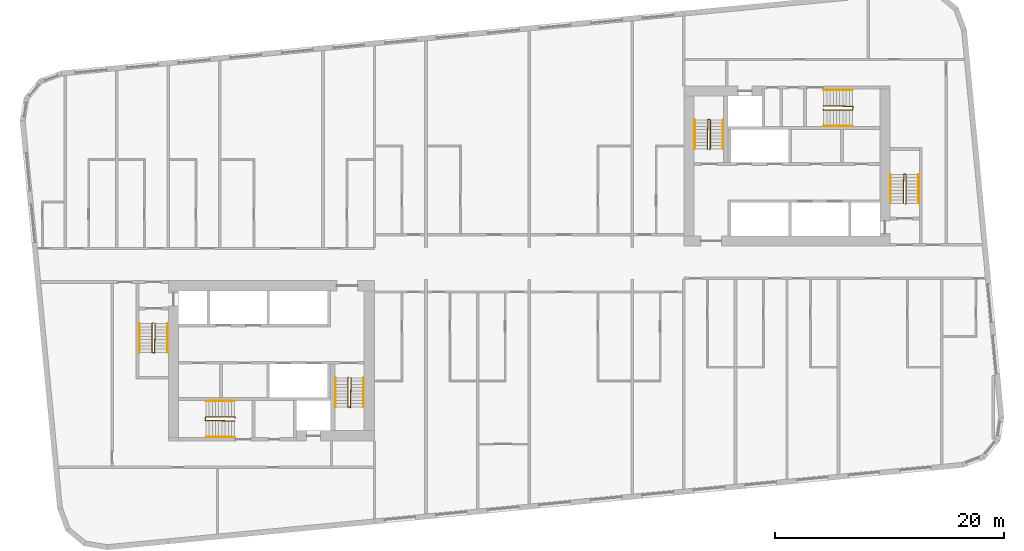
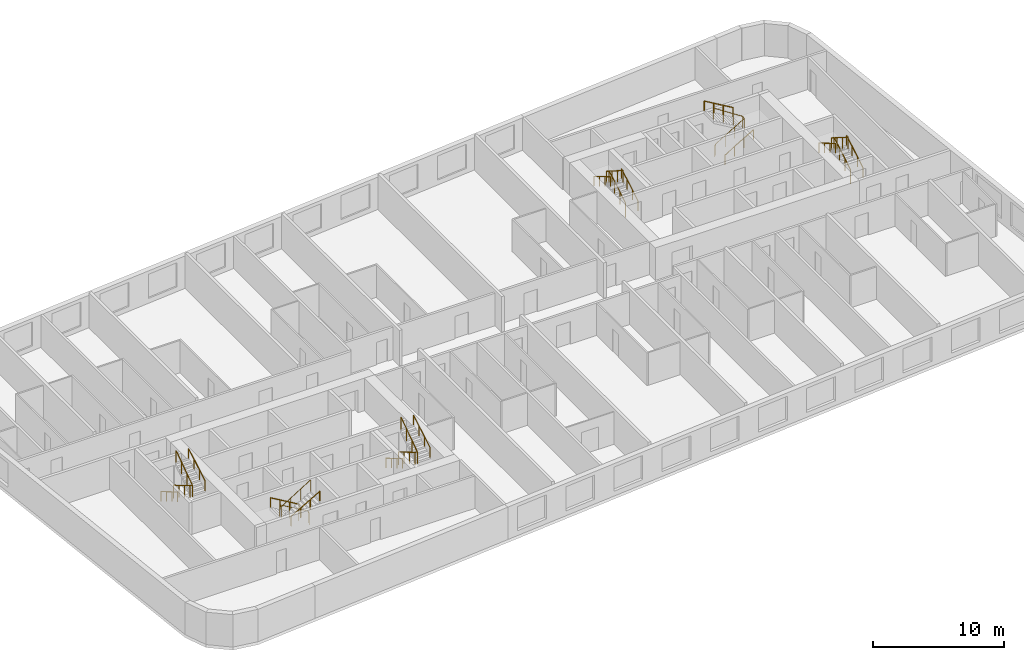
# One storey, part 12 of 12: 18 railings.
"""IFC4 building model written with IfcOpenShell, lengths in metres."""

from ifc_helpers import new_model, si_unit, direction, frame, origin, origin_2d, place, context, subcontext, project, spatial, circle, extrude, material, type_object, element, save


model = new_model("IFC4")

# Units and contexts
model_context = context("Model", 3, precision=1e-05, world=origin(), true_north=direction((0.0, 1.0)))
body_context = subcontext(model_context, "Body", "Model", "MODEL_VIEW")
ifc_project = project(units=[si_unit("LENGTHUNIT", "METRE"), si_unit("AREAUNIT", "SQUARE_METRE"), si_unit("VOLUMEUNIT", "CUBIC_METRE"), si_unit("PLANEANGLEUNIT", "RADIAN"), si_unit("MASSUNIT", "GRAM", prefix="KILO")], contexts=[model_context])

# Site, building, storey
site_placement = place(None, origin())
site = spatial("IfcSite", under=ifc_project, at=site_placement, CompositionType="ELEMENT")
building_placement = place(site_placement, origin())
building = spatial("IfcBuilding", under=site, at=building_placement, Name="Kajstack Hotel Tower", CompositionType="ELEMENT")
storey_placement = place(building_placement, frame((0.0, 0.0, 199.89990234375)))
storey = spatial("IfcBuildingStorey", under=building, at=storey_placement, Name="L48", CompositionType="ELEMENT", Elevation=199.89990234375)

# Railings
ifc_material = material(Name="Steel S355J2", Category="steel")
railing_type_1 = type_object("IfcRailingType", Name="Stair guard 1100", PredefinedType="GUARDRAIL", material=ifc_material)
railing_1_placement = place(storey_placement, frame((-32.85009765625, -5.199951171875, 0.0)))
element("IfcRailing", 1, at=railing_1_placement, inside=storey, type_object=railing_type_1, Name="L48 W1 stair guard 1", PredefinedType="GUARDRAIL", context=body_context, shape_type="SweptSolid", body=[
    extrude(circle(Radius=0.02392578125, at=origin_2d()), frame((0.0, 0.0, 1.076171875), z_axis=(-0.277450376394, -0.278810427259, 0.919394384522), x_axis=(0.708833529934, -0.705375805398, 0.0)), (0.0, 0.0, 1.0), 0.179443359375),
    extrude(circle(Radius=0.02392578125, at=origin_2d()), frame((-0.0498046875, -0.050048828125, 1.2412109375), z_axis=(0.0, -0.86152411907, 0.507716645641), x_axis=(1.0, 0.0, 0.0)), (0.0, 0.0, 1.0), 2.925048828125),
    extrude(circle(Radius=0.02392578125, at=origin_2d()), frame((-0.0498046875, -2.570068359375, 2.72607421875), z_axis=(0.970072785993, -0.242814311512, 0.0), x_axis=(0.242814311512, 0.970072785993, 0.0)), (0.0, 0.0, 1.0), 0.2060546875),
    extrude(circle(Radius=0.02392578125, at=origin_2d()), frame((0.150146484375, -2.6201171875, 2.72607421875), z_axis=(0.016385308676, 0.841405582595, 0.540155687962), x_axis=(-0.999810440751, 0.019470042781, 0.0)), (0.0, 0.0, 1.0), 3.054443359375),
    extrude(circle(Radius=0.02099609375, at=origin_2d()), origin(), (0.0, 0.0, 1.0), 1.052001953125),
    extrude(circle(Radius=0.02099609375, at=origin_2d()), frame((-0.0498046875, -0.050048828125, 0.1650390625)), (0.0, 0.0, 1.0), 1.052001953125),
    extrude(circle(Radius=0.02099609375, at=origin_2d()), frame((-0.0498046875, -0.89013671875, 0.66015625)), (0.0, 0.0, 1.0), 1.052001953125),
    extrude(circle(Radius=0.02099609375, at=origin_2d()), frame((-0.0498046875, -1.72998046875, 1.155029296875)), (0.0, 0.0, 1.0), 1.052001953125),
    extrude(circle(Radius=0.02099609375, at=origin_2d()), frame((-0.0498046875, -2.570068359375, 1.650146484375)), (0.0, 0.0, 1.0), 1.052001953125),
    extrude(circle(Radius=0.02099609375, at=origin_2d()), frame((0.150146484375, -2.6201171875, 1.650146484375)), (0.0, 0.0, 1.0), 1.052001953125),
    extrude(circle(Radius=0.02099609375, at=origin_2d()), frame((0.166748046875, -1.763427734375, 2.2001953125)), (0.0, 0.0, 1.0), 1.052001953125),
    extrude(circle(Radius=0.02099609375, at=origin_2d()), frame((0.18359375, -0.90673828125, 2.75)), (0.0, 0.0, 1.0), 1.052001953125),
    extrude(circle(Radius=0.02099609375, at=origin_2d()), frame((0.2001953125, -0.050048828125, 3.300048828125)), (0.0, 0.0, 1.0), 1.052001953125),
])
railing_2_placement = place(storey_placement, frame((-15.75, -9.949951171875, 0.0)))
element("IfcRailing", 2, at=railing_2_placement, inside=storey, type_object=railing_type_1, Name="L48 W2 stair guard 1", PredefinedType="GUARDRAIL", context=body_context, shape_type="SweptSolid", body=[
    extrude(circle(Radius=0.02392578125, at=origin_2d()), frame((0.0, 0.0, 1.076171875), z_axis=(-0.278705021027, -0.278705021027, 0.919046801044), x_axis=(0.707106781187, -0.707106781187, 0.0)), (0.0, 0.0, 1.0), 0.1796875),
    extrude(circle(Radius=0.02392578125, at=origin_2d()), frame((-0.050048828125, -0.050048828125, 1.2412109375), z_axis=(0.0, -0.86152411907, 0.507716645641), x_axis=(1.0, 0.0, 0.0)), (0.0, 0.0, 1.0), 2.925048828125),
    extrude(circle(Radius=0.02392578125, at=origin_2d()), frame((-0.050048828125, -2.570068359375, 2.72607421875), z_axis=(0.970072785993, -0.242814311512, 0.0), x_axis=(0.242814311512, 0.970072785993, 0.0)), (0.0, 0.0, 1.0), 0.2060546875),
    extrude(circle(Radius=0.02392578125, at=origin_2d()), frame((0.14990234375, -2.6201171875, 2.72607421875), z_axis=(0.016385308676, 0.841405582595, 0.540155687962), x_axis=(-0.999810440751, 0.019470042781, 0.0)), (0.0, 0.0, 1.0), 3.054443359375),
    extrude(circle(Radius=0.02099609375, at=origin_2d()), origin(), (0.0, 0.0, 1.0), 1.052001953125),
    extrude(circle(Radius=0.02099609375, at=origin_2d()), frame((-0.050048828125, -0.050048828125, 0.1650390625)), (0.0, 0.0, 1.0), 1.052001953125),
    extrude(circle(Radius=0.02099609375, at=origin_2d()), frame((-0.050048828125, -0.89013671875, 0.66015625)), (0.0, 0.0, 1.0), 1.052001953125),
    extrude(circle(Radius=0.02099609375, at=origin_2d()), frame((-0.050048828125, -1.72998046875, 1.155029296875)), (0.0, 0.0, 1.0), 1.052001953125),
    extrude(circle(Radius=0.02099609375, at=origin_2d()), frame((-0.050048828125, -2.570068359375, 1.650146484375)), (0.0, 0.0, 1.0), 1.052001953125),
    extrude(circle(Radius=0.02099609375, at=origin_2d()), frame((0.14990234375, -2.6201171875, 1.650146484375)), (0.0, 0.0, 1.0), 1.052001953125),
    extrude(circle(Radius=0.02099609375, at=origin_2d()), frame((0.16650390625, -1.763427734375, 2.2001953125)), (0.0, 0.0, 1.0), 1.052001953125),
    extrude(circle(Radius=0.02099609375, at=origin_2d()), frame((0.183349609375, -0.90673828125, 2.75)), (0.0, 0.0, 1.0), 1.052001953125),
    extrude(circle(Radius=0.02099609375, at=origin_2d()), frame((0.199951171875, -0.050048828125, 3.300048828125)), (0.0, 0.0, 1.0), 1.052001953125),
])
railing_3_placement = place(storey_placement, frame((-25.64990234375, -13.449951171875, 0.0)))
element("IfcRailing", 3, at=railing_3_placement, inside=storey, type_object=railing_type_1, Name="L48 W3 stair guard 1", PredefinedType="GUARDRAIL", context=body_context, shape_type="SweptSolid", body=[
    extrude(circle(Radius=0.02392578125, at=origin_2d()), frame((0.0, 0.0, 1.076171875), z_axis=(-0.278705021027, 0.278705021027, 0.919046801044), x_axis=(-0.707106781187, -0.707106781187, 0.0)), (0.0, 0.0, 1.0), 0.1796875),
    extrude(circle(Radius=0.02392578125, at=origin_2d()), frame((-0.050048828125, 0.050048828125, 1.2412109375), z_axis=(-0.86152411907, 0.0, 0.507716645641), x_axis=(0.0, -1.0, 0.0)), (0.0, 0.0, 1.0), 2.925048828125),
    extrude(circle(Radius=0.02392578125, at=origin_2d()), frame((-2.570068359375, 0.050048828125, 2.72607421875), z_axis=(-0.164529134168, -0.986372223864, 0.0), x_axis=(0.986372223864, -0.164529134168, 0.0)), (0.0, 0.0, 1.0), 0.30419921875),
    extrude(circle(Radius=0.02392578125, at=origin_2d()), frame((-2.6201171875, -0.25, 2.72607421875), z_axis=(0.841405582595, -0.016385308676, 0.540155687962), x_axis=(0.019470042781, 0.999810440751, 0.0)), (0.0, 0.0, 1.0), 3.054443359375),
    extrude(circle(Radius=0.02099609375, at=origin_2d()), origin(), (0.0, 0.0, 1.0), 1.052001953125),
    extrude(circle(Radius=0.02099609375, at=origin_2d()), frame((-0.050048828125, 0.050048828125, 0.1650390625)), (0.0, 0.0, 1.0), 1.052001953125),
    extrude(circle(Radius=0.02099609375, at=origin_2d()), frame((-0.89013671875, 0.050048828125, 0.66015625)), (0.0, 0.0, 1.0), 1.052001953125),
    extrude(circle(Radius=0.02099609375, at=origin_2d()), frame((-1.72998046875, 0.050048828125, 1.155029296875)), (0.0, 0.0, 1.0), 1.052001953125),
    extrude(circle(Radius=0.02099609375, at=origin_2d()), frame((-2.570068359375, 0.050048828125, 1.650146484375)), (0.0, 0.0, 1.0), 1.052001953125),
    extrude(circle(Radius=0.02099609375, at=origin_2d()), frame((-2.6201171875, -0.25, 1.650146484375)), (0.0, 0.0, 1.0), 1.052001953125),
    extrude(circle(Radius=0.02099609375, at=origin_2d()), frame((-1.763427734375, -0.2666015625, 2.2001953125)), (0.0, 0.0, 1.0), 1.052001953125),
    extrude(circle(Radius=0.02099609375, at=origin_2d()), frame((-0.90673828125, -0.283447265625, 2.75)), (0.0, 0.0, 1.0), 1.052001953125),
    extrude(circle(Radius=0.02099609375, at=origin_2d()), frame((-0.050048828125, -0.300048828125, 3.300048828125)), (0.0, 0.0, 1.0), 1.052001953125),
])
railing_4_placement = place(storey_placement, frame((32.85009765625, 5.199951171875, 0.0)))
element("IfcRailing", 4, at=railing_4_placement, inside=storey, type_object=railing_type_1, Name="L48 E1 stair guard 1", PredefinedType="GUARDRAIL", context=body_context, shape_type="SweptSolid", body=[
    extrude(circle(Radius=0.02392578125, at=origin_2d()), frame((0.0, 0.0, 1.076171875), z_axis=(0.277450376394, 0.278810427259, 0.919394384522), x_axis=(-0.708833529934, 0.705375805398, 0.0)), (0.0, 0.0, 1.0), 0.179443359375),
    extrude(circle(Radius=0.02392578125, at=origin_2d()), frame((0.0498046875, 0.050048828125, 1.2412109375), z_axis=(0.0, 0.86152411907, 0.507716645641), x_axis=(-1.0, 0.0, 0.0)), (0.0, 0.0, 1.0), 2.925048828125),
    extrude(circle(Radius=0.02392578125, at=origin_2d()), frame((0.0498046875, 2.570068359375, 2.72607421875), z_axis=(-0.970072785993, 0.242814311512, 0.0), x_axis=(-0.242814311512, -0.970072785993, 0.0)), (0.0, 0.0, 1.0), 0.2060546875),
    extrude(circle(Radius=0.02392578125, at=origin_2d()), frame((-0.150146484375, 2.6201171875, 2.72607421875), z_axis=(-0.016385308676, -0.841405582595, 0.540155687962), x_axis=(0.999810440751, -0.019470042781, 0.0)), (0.0, 0.0, 1.0), 3.054443359375),
    extrude(circle(Radius=0.02099609375, at=origin_2d()), origin(), (0.0, 0.0, 1.0), 1.052001953125),
    extrude(circle(Radius=0.02099609375, at=origin_2d()), frame((0.0498046875, 0.050048828125, 0.1650390625)), (0.0, 0.0, 1.0), 1.052001953125),
    extrude(circle(Radius=0.02099609375, at=origin_2d()), frame((0.0498046875, 0.89013671875, 0.66015625)), (0.0, 0.0, 1.0), 1.052001953125),
    extrude(circle(Radius=0.02099609375, at=origin_2d()), frame((0.0498046875, 1.72998046875, 1.155029296875)), (0.0, 0.0, 1.0), 1.052001953125),
    extrude(circle(Radius=0.02099609375, at=origin_2d()), frame((0.0498046875, 2.570068359375, 1.650146484375)), (0.0, 0.0, 1.0), 1.052001953125),
    extrude(circle(Radius=0.02099609375, at=origin_2d()), frame((-0.150146484375, 2.6201171875, 1.650146484375)), (0.0, 0.0, 1.0), 1.052001953125),
    extrude(circle(Radius=0.02099609375, at=origin_2d()), frame((-0.166748046875, 1.763427734375, 2.2001953125)), (0.0, 0.0, 1.0), 1.052001953125),
    extrude(circle(Radius=0.02099609375, at=origin_2d()), frame((-0.18359375, 0.90673828125, 2.75)), (0.0, 0.0, 1.0), 1.052001953125),
    extrude(circle(Radius=0.02099609375, at=origin_2d()), frame((-0.2001953125, 0.050048828125, 3.300048828125)), (0.0, 0.0, 1.0), 1.052001953125),
])
railing_5_placement = place(storey_placement, frame((15.75, 9.949951171875, 0.0)))
element("IfcRailing", 5, at=railing_5_placement, inside=storey, type_object=railing_type_1, Name="L48 E2 stair guard 1", PredefinedType="GUARDRAIL", context=body_context, shape_type="SweptSolid", body=[
    extrude(circle(Radius=0.02392578125, at=origin_2d()), frame((0.0, 0.0, 1.076171875), z_axis=(0.278705021027, 0.278705021027, 0.919046801044), x_axis=(-0.707106781187, 0.707106781187, 0.0)), (0.0, 0.0, 1.0), 0.1796875),
    extrude(circle(Radius=0.02392578125, at=origin_2d()), frame((0.050048828125, 0.050048828125, 1.2412109375), z_axis=(0.0, 0.86152411907, 0.507716645641), x_axis=(-1.0, 0.0, 0.0)), (0.0, 0.0, 1.0), 2.925048828125),
    extrude(circle(Radius=0.02392578125, at=origin_2d()), frame((0.050048828125, 2.570068359375, 2.72607421875), z_axis=(-0.970072785993, 0.242814311512, 0.0), x_axis=(-0.242814311512, -0.970072785993, 0.0)), (0.0, 0.0, 1.0), 0.2060546875),
    extrude(circle(Radius=0.02392578125, at=origin_2d()), frame((-0.14990234375, 2.6201171875, 2.72607421875), z_axis=(-0.016385308676, -0.841405582595, 0.540155687962), x_axis=(0.999810440751, -0.019470042781, 0.0)), (0.0, 0.0, 1.0), 3.054443359375),
    extrude(circle(Radius=0.02099609375, at=origin_2d()), origin(), (0.0, 0.0, 1.0), 1.052001953125),
    extrude(circle(Radius=0.02099609375, at=origin_2d()), frame((0.050048828125, 0.050048828125, 0.1650390625)), (0.0, 0.0, 1.0), 1.052001953125),
    extrude(circle(Radius=0.02099609375, at=origin_2d()), frame((0.050048828125, 0.89013671875, 0.66015625)), (0.0, 0.0, 1.0), 1.052001953125),
    extrude(circle(Radius=0.02099609375, at=origin_2d()), frame((0.050048828125, 1.72998046875, 1.155029296875)), (0.0, 0.0, 1.0), 1.052001953125),
    extrude(circle(Radius=0.02099609375, at=origin_2d()), frame((0.050048828125, 2.570068359375, 1.650146484375)), (0.0, 0.0, 1.0), 1.052001953125),
    extrude(circle(Radius=0.02099609375, at=origin_2d()), frame((-0.14990234375, 2.6201171875, 1.650146484375)), (0.0, 0.0, 1.0), 1.052001953125),
    extrude(circle(Radius=0.02099609375, at=origin_2d()), frame((-0.16650390625, 1.763427734375, 2.2001953125)), (0.0, 0.0, 1.0), 1.052001953125),
    extrude(circle(Radius=0.02099609375, at=origin_2d()), frame((-0.183349609375, 0.90673828125, 2.75)), (0.0, 0.0, 1.0), 1.052001953125),
    extrude(circle(Radius=0.02099609375, at=origin_2d()), frame((-0.199951171875, 0.050048828125, 3.300048828125)), (0.0, 0.0, 1.0), 1.052001953125),
])
railing_6_placement = place(storey_placement, frame((25.64990234375, 13.449951171875, 0.0)))
element("IfcRailing", 6, at=railing_6_placement, inside=storey, type_object=railing_type_1, Name="L48 E3 stair guard 1", PredefinedType="GUARDRAIL", context=body_context, shape_type="SweptSolid", body=[
    extrude(circle(Radius=0.02392578125, at=origin_2d()), frame((0.0, 0.0, 1.076171875), z_axis=(0.278705021027, -0.278705021027, 0.919046801044), x_axis=(0.707106781187, 0.707106781187, 0.0)), (0.0, 0.0, 1.0), 0.1796875),
    extrude(circle(Radius=0.02392578125, at=origin_2d()), frame((0.050048828125, -0.050048828125, 1.2412109375), z_axis=(0.86152411907, 0.0, 0.507716645641), x_axis=(0.0, 1.0, 0.0)), (0.0, 0.0, 1.0), 2.925048828125),
    extrude(circle(Radius=0.02392578125, at=origin_2d()), frame((2.570068359375, -0.050048828125, 2.72607421875), z_axis=(0.164529134168, 0.986372223864, 0.0), x_axis=(-0.986372223864, 0.164529134168, 0.0)), (0.0, 0.0, 1.0), 0.30419921875),
    extrude(circle(Radius=0.02392578125, at=origin_2d()), frame((2.6201171875, 0.25, 2.72607421875), z_axis=(-0.841405582595, 0.016385308676, 0.540155687962), x_axis=(-0.019470042781, -0.999810440751, 0.0)), (0.0, 0.0, 1.0), 3.054443359375),
    extrude(circle(Radius=0.02099609375, at=origin_2d()), origin(), (0.0, 0.0, 1.0), 1.052001953125),
    extrude(circle(Radius=0.02099609375, at=origin_2d()), frame((0.050048828125, -0.050048828125, 0.1650390625)), (0.0, 0.0, 1.0), 1.052001953125),
    extrude(circle(Radius=0.02099609375, at=origin_2d()), frame((0.89013671875, -0.050048828125, 0.66015625)), (0.0, 0.0, 1.0), 1.052001953125),
    extrude(circle(Radius=0.02099609375, at=origin_2d()), frame((1.72998046875, -0.050048828125, 1.155029296875)), (0.0, 0.0, 1.0), 1.052001953125),
    extrude(circle(Radius=0.02099609375, at=origin_2d()), frame((2.570068359375, -0.050048828125, 1.650146484375)), (0.0, 0.0, 1.0), 1.052001953125),
    extrude(circle(Radius=0.02099609375, at=origin_2d()), frame((2.6201171875, 0.25, 1.650146484375)), (0.0, 0.0, 1.0), 1.052001953125),
    extrude(circle(Radius=0.02099609375, at=origin_2d()), frame((1.763427734375, 0.2666015625, 2.2001953125)), (0.0, 0.0, 1.0), 1.052001953125),
    extrude(circle(Radius=0.02099609375, at=origin_2d()), frame((0.90673828125, 0.283447265625, 2.75)), (0.0, 0.0, 1.0), 1.052001953125),
    extrude(circle(Radius=0.02099609375, at=origin_2d()), frame((0.050048828125, 0.300048828125, 3.300048828125)), (0.0, 0.0, 1.0), 1.052001953125),
])
railing_type_2 = type_object("IfcRailingType", Name="Stair handrail 900", PredefinedType="HANDRAIL", material=ifc_material)
railing_7_placement = place(storey_placement, frame((-34.0, -5.25, 0.1650390625)))
element("IfcRailing", 7, at=railing_7_placement, inside=storey, type_object=railing_type_2, Name="L48 W1 stair handrail 1", PredefinedType="HANDRAIL", context=body_context, shape_type="SweptSolid", body=[
    extrude(circle(Radius=0.02392578125, at=origin_2d()), frame((0.0, 0.0, 0.8759765625), z_axis=(0.0, -0.86152411907, 0.507716645641), x_axis=(1.0, 0.0, 0.0)), (0.0, 0.0, 1.0), 2.925048828125),
    extrude(circle(Radius=0.02099609375, at=origin_2d()), origin(), (0.0, 0.0, 1.0), 0.851806640625),
    extrude(circle(Radius=0.02099609375, at=origin_2d()), frame((0.0, -0.840087890625, 0.4951171875)), (0.0, 0.0, 1.0), 0.851806640625),
    extrude(circle(Radius=0.02099609375, at=origin_2d()), frame((0.0, -1.679931640625, 0.989990234375)), (0.0, 0.0, 1.0), 0.851806640625),
    extrude(circle(Radius=0.02099609375, at=origin_2d()), frame((0.0, -2.52001953125, 1.485107421875)), (0.0, 0.0, 1.0), 0.851806640625),
])
railing_8_placement = place(storey_placement, frame((-31.550048828125, -7.77001953125, 1.815185546875)))
element("IfcRailing", 8, at=railing_8_placement, inside=storey, type_object=railing_type_2, Name="L48 W1 stair handrail 2", PredefinedType="HANDRAIL", context=body_context, shape_type="SweptSolid", body=[
    extrude(circle(Radius=0.02392578125, at=origin_2d()), frame((0.0, 0.0, 0.8759765625), z_axis=(0.0, 0.861560626758, 0.507654692109), x_axis=(-1.0, 0.0, 0.0)), (0.0, 0.0, 1.0), 2.925048828125),
    extrude(circle(Radius=0.02099609375, at=origin_2d()), origin(), (0.0, 0.0, 1.0), 0.851806640625),
    extrude(circle(Radius=0.02099609375, at=origin_2d()), frame((0.0, 0.840087890625, 0.494873046875)), (0.0, 0.0, 1.0), 0.851806640625),
    extrude(circle(Radius=0.02099609375, at=origin_2d()), frame((0.0, 1.679931640625, 0.989990234375)), (0.0, 0.0, 1.0), 0.851806640625),
    extrude(circle(Radius=0.02099609375, at=origin_2d()), frame((0.0, 2.52001953125, 1.48486328125)), (0.0, 0.0, 1.0), 0.851806640625),
])
railing_9_placement = place(storey_placement, frame((-16.89990234375, -10.0, 0.1650390625)))
element("IfcRailing", 9, at=railing_9_placement, inside=storey, type_object=railing_type_2, Name="L48 W2 stair handrail 1", PredefinedType="HANDRAIL", context=body_context, shape_type="SweptSolid", body=[
    extrude(circle(Radius=0.02392578125, at=origin_2d()), frame((0.0, 0.0, 0.8759765625), z_axis=(0.0, -0.86152411907, 0.507716645641), x_axis=(1.0, 0.0, 0.0)), (0.0, 0.0, 1.0), 2.925048828125),
    extrude(circle(Radius=0.02099609375, at=origin_2d()), origin(), (0.0, 0.0, 1.0), 0.851806640625),
    extrude(circle(Radius=0.02099609375, at=origin_2d()), frame((0.0, -0.840087890625, 0.4951171875)), (0.0, 0.0, 1.0), 0.851806640625),
    extrude(circle(Radius=0.02099609375, at=origin_2d()), frame((0.0, -1.679931640625, 0.989990234375)), (0.0, 0.0, 1.0), 0.851806640625),
    extrude(circle(Radius=0.02099609375, at=origin_2d()), frame((0.0, -2.52001953125, 1.485107421875)), (0.0, 0.0, 1.0), 0.851806640625),
])
railing_10_placement = place(storey_placement, frame((-14.449951171875, -12.52001953125, 1.815185546875)))
element("IfcRailing", 10, at=railing_10_placement, inside=storey, type_object=railing_type_2, Name="L48 W2 stair handrail 2", PredefinedType="HANDRAIL", context=body_context, shape_type="SweptSolid", body=[
    extrude(circle(Radius=0.02392578125, at=origin_2d()), frame((0.0, 0.0, 0.8759765625), z_axis=(0.0, 0.861560626758, 0.507654692109), x_axis=(-1.0, 0.0, 0.0)), (0.0, 0.0, 1.0), 2.925048828125),
    extrude(circle(Radius=0.02099609375, at=origin_2d()), origin(), (0.0, 0.0, 1.0), 0.851806640625),
    extrude(circle(Radius=0.02099609375, at=origin_2d()), frame((0.0, 0.840087890625, 0.494873046875)), (0.0, 0.0, 1.0), 0.851806640625),
    extrude(circle(Radius=0.02099609375, at=origin_2d()), frame((0.0, 1.679931640625, 0.989990234375)), (0.0, 0.0, 1.0), 0.851806640625),
    extrude(circle(Radius=0.02099609375, at=origin_2d()), frame((0.0, 2.52001953125, 1.48486328125)), (0.0, 0.0, 1.0), 0.851806640625),
])
railing_11_placement = place(storey_placement, frame((-25.699951171875, -12.0, 0.1650390625)))
element("IfcRailing", 11, at=railing_11_placement, inside=storey, type_object=railing_type_2, Name="L48 W3 stair handrail 1", PredefinedType="HANDRAIL", context=body_context, shape_type="SweptSolid", body=[
    extrude(circle(Radius=0.02392578125, at=origin_2d()), frame((0.0, 0.0, 0.8759765625), z_axis=(-0.86152411907, 0.0, 0.507716645641), x_axis=(0.0, -1.0, 0.0)), (0.0, 0.0, 1.0), 2.925048828125),
    extrude(circle(Radius=0.02099609375, at=origin_2d()), origin(), (0.0, 0.0, 1.0), 0.851806640625),
    extrude(circle(Radius=0.02099609375, at=origin_2d()), frame((-0.840087890625, 0.0, 0.4951171875)), (0.0, 0.0, 1.0), 0.851806640625),
    extrude(circle(Radius=0.02099609375, at=origin_2d()), frame((-1.679931640625, 0.0, 0.989990234375)), (0.0, 0.0, 1.0), 0.851806640625),
    extrude(circle(Radius=0.02099609375, at=origin_2d()), frame((-2.52001953125, 0.0, 1.485107421875)), (0.0, 0.0, 1.0), 0.851806640625),
])
railing_12_placement = place(storey_placement, frame((-28.219970703125, -15.14990234375, 1.815185546875)))
element("IfcRailing", 12, at=railing_12_placement, inside=storey, type_object=railing_type_2, Name="L48 W3 stair handrail 2", PredefinedType="HANDRAIL", context=body_context, shape_type="SweptSolid", body=[
    extrude(circle(Radius=0.02392578125, at=origin_2d()), frame((0.0, 0.0, 0.8759765625), z_axis=(0.861560626758, 0.0, 0.507654692109), x_axis=(0.0, 1.0, 0.0)), (0.0, 0.0, 1.0), 2.925048828125),
    extrude(circle(Radius=0.02099609375, at=origin_2d()), origin(), (0.0, 0.0, 1.0), 0.851806640625),
    extrude(circle(Radius=0.02099609375, at=origin_2d()), frame((0.840087890625, 0.0, 0.494873046875)), (0.0, 0.0, 1.0), 0.851806640625),
    extrude(circle(Radius=0.02099609375, at=origin_2d()), frame((1.679931640625, 0.0, 0.989990234375)), (0.0, 0.0, 1.0), 0.851806640625),
    extrude(circle(Radius=0.02099609375, at=origin_2d()), frame((2.52001953125, 0.0, 1.48486328125)), (0.0, 0.0, 1.0), 0.851806640625),
])
railing_13_placement = place(storey_placement, frame((34.0, 5.25, 0.1650390625)))
element("IfcRailing", 13, at=railing_13_placement, inside=storey, type_object=railing_type_2, Name="L48 E1 stair handrail 1", PredefinedType="HANDRAIL", context=body_context, shape_type="SweptSolid", body=[
    extrude(circle(Radius=0.02392578125, at=origin_2d()), frame((0.0, 0.0, 0.8759765625), z_axis=(0.0, 0.86152411907, 0.507716645641), x_axis=(-1.0, 0.0, 0.0)), (0.0, 0.0, 1.0), 2.925048828125),
    extrude(circle(Radius=0.02099609375, at=origin_2d()), origin(), (0.0, 0.0, 1.0), 0.851806640625),
    extrude(circle(Radius=0.02099609375, at=origin_2d()), frame((0.0, 0.840087890625, 0.4951171875)), (0.0, 0.0, 1.0), 0.851806640625),
    extrude(circle(Radius=0.02099609375, at=origin_2d()), frame((0.0, 1.679931640625, 0.989990234375)), (0.0, 0.0, 1.0), 0.851806640625),
    extrude(circle(Radius=0.02099609375, at=origin_2d()), frame((0.0, 2.52001953125, 1.485107421875)), (0.0, 0.0, 1.0), 0.851806640625),
])
railing_14_placement = place(storey_placement, frame((31.550048828125, 7.77001953125, 1.815185546875)))
element("IfcRailing", 14, at=railing_14_placement, inside=storey, type_object=railing_type_2, Name="L48 E1 stair handrail 2", PredefinedType="HANDRAIL", context=body_context, shape_type="SweptSolid", body=[
    extrude(circle(Radius=0.02392578125, at=origin_2d()), frame((0.0, 0.0, 0.8759765625), z_axis=(0.0, -0.861560626758, 0.507654692109), x_axis=(1.0, 0.0, 0.0)), (0.0, 0.0, 1.0), 2.925048828125),
    extrude(circle(Radius=0.02099609375, at=origin_2d()), origin(), (0.0, 0.0, 1.0), 0.851806640625),
    extrude(circle(Radius=0.02099609375, at=origin_2d()), frame((0.0, -0.840087890625, 0.494873046875)), (0.0, 0.0, 1.0), 0.851806640625),
    extrude(circle(Radius=0.02099609375, at=origin_2d()), frame((0.0, -1.679931640625, 0.989990234375)), (0.0, 0.0, 1.0), 0.851806640625),
    extrude(circle(Radius=0.02099609375, at=origin_2d()), frame((0.0, -2.52001953125, 1.48486328125)), (0.0, 0.0, 1.0), 0.851806640625),
])
railing_15_placement = place(storey_placement, frame((16.89990234375, 10.0, 0.1650390625)))
element("IfcRailing", 15, at=railing_15_placement, inside=storey, type_object=railing_type_2, Name="L48 E2 stair handrail 1", PredefinedType="HANDRAIL", context=body_context, shape_type="SweptSolid", body=[
    extrude(circle(Radius=0.02392578125, at=origin_2d()), frame((0.0, 0.0, 0.8759765625), z_axis=(0.0, 0.86152411907, 0.507716645641), x_axis=(-1.0, 0.0, 0.0)), (0.0, 0.0, 1.0), 2.925048828125),
    extrude(circle(Radius=0.02099609375, at=origin_2d()), origin(), (0.0, 0.0, 1.0), 0.851806640625),
    extrude(circle(Radius=0.02099609375, at=origin_2d()), frame((0.0, 0.840087890625, 0.4951171875)), (0.0, 0.0, 1.0), 0.851806640625),
    extrude(circle(Radius=0.02099609375, at=origin_2d()), frame((0.0, 1.679931640625, 0.989990234375)), (0.0, 0.0, 1.0), 0.851806640625),
    extrude(circle(Radius=0.02099609375, at=origin_2d()), frame((0.0, 2.52001953125, 1.485107421875)), (0.0, 0.0, 1.0), 0.851806640625),
])
railing_16_placement = place(storey_placement, frame((14.449951171875, 12.52001953125, 1.815185546875)))
element("IfcRailing", 16, at=railing_16_placement, inside=storey, type_object=railing_type_2, Name="L48 E2 stair handrail 2", PredefinedType="HANDRAIL", context=body_context, shape_type="SweptSolid", body=[
    extrude(circle(Radius=0.02392578125, at=origin_2d()), frame((0.0, 0.0, 0.8759765625), z_axis=(0.0, -0.861560626758, 0.507654692109), x_axis=(1.0, 0.0, 0.0)), (0.0, 0.0, 1.0), 2.925048828125),
    extrude(circle(Radius=0.02099609375, at=origin_2d()), origin(), (0.0, 0.0, 1.0), 0.851806640625),
    extrude(circle(Radius=0.02099609375, at=origin_2d()), frame((0.0, -0.840087890625, 0.494873046875)), (0.0, 0.0, 1.0), 0.851806640625),
    extrude(circle(Radius=0.02099609375, at=origin_2d()), frame((0.0, -1.679931640625, 0.989990234375)), (0.0, 0.0, 1.0), 0.851806640625),
    extrude(circle(Radius=0.02099609375, at=origin_2d()), frame((0.0, -2.52001953125, 1.48486328125)), (0.0, 0.0, 1.0), 0.851806640625),
])
railing_17_placement = place(storey_placement, frame((25.699951171875, 12.0, 0.1650390625)))
element("IfcRailing", 17, at=railing_17_placement, inside=storey, type_object=railing_type_2, Name="L48 E3 stair handrail 1", PredefinedType="HANDRAIL", context=body_context, shape_type="SweptSolid", body=[
    extrude(circle(Radius=0.02392578125, at=origin_2d()), frame((0.0, 0.0, 0.8759765625), z_axis=(0.86152411907, 0.0, 0.507716645641), x_axis=(0.0, 1.0, 0.0)), (0.0, 0.0, 1.0), 2.925048828125),
    extrude(circle(Radius=0.02099609375, at=origin_2d()), origin(), (0.0, 0.0, 1.0), 0.851806640625),
    extrude(circle(Radius=0.02099609375, at=origin_2d()), frame((0.840087890625, 0.0, 0.4951171875)), (0.0, 0.0, 1.0), 0.851806640625),
    extrude(circle(Radius=0.02099609375, at=origin_2d()), frame((1.679931640625, 0.0, 0.989990234375)), (0.0, 0.0, 1.0), 0.851806640625),
    extrude(circle(Radius=0.02099609375, at=origin_2d()), frame((2.52001953125, 0.0, 1.485107421875)), (0.0, 0.0, 1.0), 0.851806640625),
])
railing_18_placement = place(storey_placement, frame((28.219970703125, 15.14990234375, 1.815185546875)))
element("IfcRailing", 18, at=railing_18_placement, inside=storey, type_object=railing_type_2, Name="L48 E3 stair handrail 2", PredefinedType="HANDRAIL", context=body_context, shape_type="SweptSolid", body=[
    extrude(circle(Radius=0.02392578125, at=origin_2d()), frame((0.0, 0.0, 0.8759765625), z_axis=(-0.861560626758, 0.0, 0.507654692109), x_axis=(0.0, -1.0, 0.0)), (0.0, 0.0, 1.0), 2.925048828125),
    extrude(circle(Radius=0.02099609375, at=origin_2d()), origin(), (0.0, 0.0, 1.0), 0.851806640625),
    extrude(circle(Radius=0.02099609375, at=origin_2d()), frame((-0.840087890625, 0.0, 0.494873046875)), (0.0, 0.0, 1.0), 0.851806640625),
    extrude(circle(Radius=0.02099609375, at=origin_2d()), frame((-1.679931640625, 0.0, 0.989990234375)), (0.0, 0.0, 1.0), 0.851806640625),
    extrude(circle(Radius=0.02099609375, at=origin_2d()), frame((-2.52001953125, 0.0, 1.48486328125)), (0.0, 0.0, 1.0), 0.851806640625),
])

save(model, "model.ifc")
